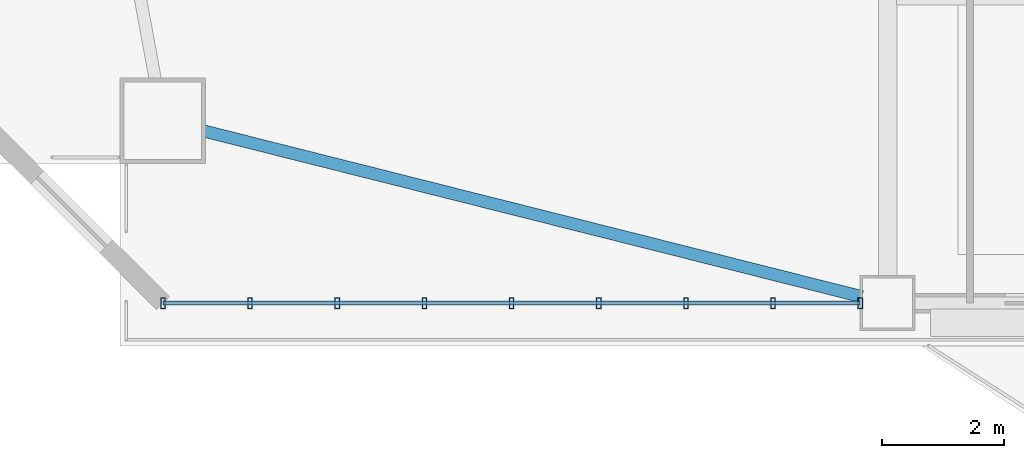
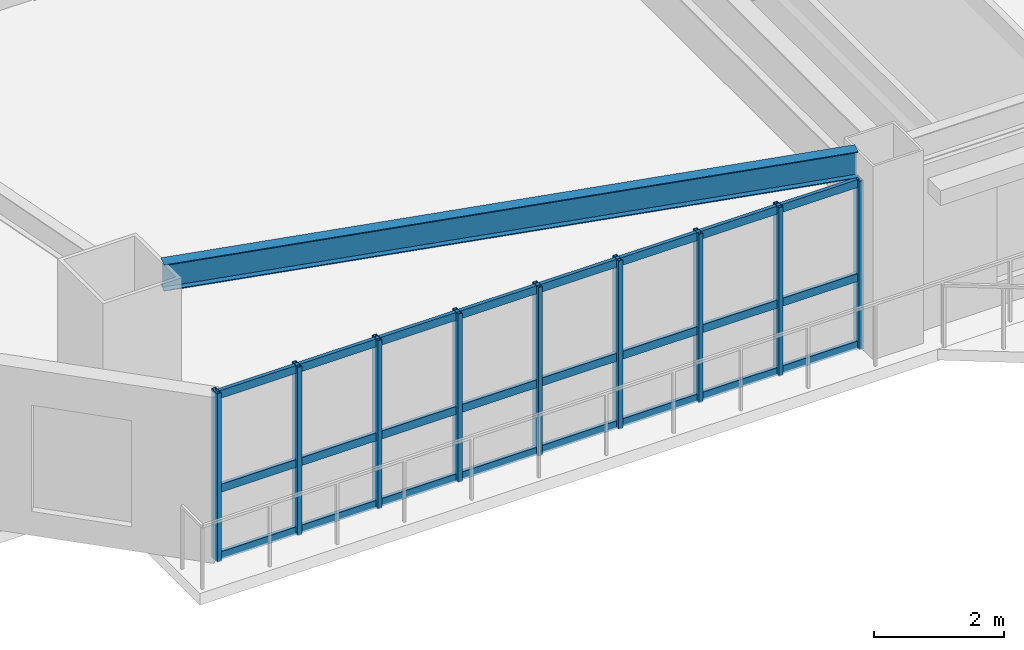
# One storey, part 2 of 15: 12 members, 1 beam, 1 element without a shape of its own.
"""IFC4 building model written with IfcOpenShell, lengths in metres."""

import ifcopenshell
import ifcopenshell.guid

model = None  # the IFC model being written
_history = None  # IfcOwnerHistory: only IFC2X3 demands one
_inside = {}  # id of a spatial element -> (the spatial element, [elements in it])
_under = {}  # id of a project, library or spatial element -> (it, [spatial elements below it])
_declared = {}  # id of a project -> (the project, [libraries it declares])
_typed = {}  # id of a type object -> (the type object, [elements of that type])
_made_of = {}  # id of a material, layer set ... -> (it, [elements and type objects made of it])


def new_model(schema):
    """Start an empty IFC model of exactly this schema.

    Asked for "IFC4X3", IfcOpenShell would pick the latest addendum, in which some entities
    have other attributes; the version numbers below select the first issue.
    IFC2X3 requires an IfcOwnerHistory on every rooted entity: one is made here for all.
    """
    global model, _history
    if schema == "IFC4X3":
        model = ifcopenshell.file(schema_version=(4, 3, 0, 0))
    else:
        model = ifcopenshell.file(schema=schema)
    _inside.clear()
    _under.clear()
    _declared.clear()
    _typed.clear()
    _made_of.clear()
    _history = None
    if model.schema == "IFC2X3":
        org = make("IfcOrganization", Name="unknown")
        user = make(
            "IfcPersonAndOrganization",
            ThePerson=make("IfcPerson", FamilyName="unknown"),
            TheOrganization=org,
        )
        app = make(
            "IfcApplication",
            ApplicationDeveloper=org,
            Version="unknown",
            ApplicationFullName="unknown",
            ApplicationIdentifier="unknown",
        )
        _history = make(
            "IfcOwnerHistory",
            OwningUser=user,
            OwningApplication=app,
            ChangeAction="ADDED",
            CreationDate=0,
        )
    return model


def make(cls, **values):
    """One entity of the class cls with the attributes given. An attribute that is None is left unset."""
    return model.create_entity(
        cls, **{name: value for name, value in values.items() if value is not None}
    )


def rooted(cls, **values):
    """An entity with a GlobalId (a new one), such as an element, a storey or a relation."""
    return make(cls, GlobalId=ifcopenshell.guid.new(), OwnerHistory=_history, **values)


def si_unit(unit_type, name, prefix=None):
    """IfcSIUnit, for example si_unit("LENGTHUNIT", "METRE", prefix="MILLI")."""
    return make("IfcSIUnit", UnitType=unit_type, Prefix=prefix, Name=name)


def assignment(units):
    """IfcUnitAssignment: the units of a project."""
    return None if units is None else make("IfcUnitAssignment", Units=units)


def point(xyz):
    """IfcCartesianPoint."""
    return None if xyz is None else make("IfcCartesianPoint", Coordinates=xyz)


def direction(xyz):
    """IfcDirection."""
    return None if xyz is None else make("IfcDirection", DirectionRatios=xyz)


def frame(location, z_axis=None, x_axis=None):
    """IfcAxis2Placement3D, a coordinate frame: its origin and axes. An axis left out is left unset."""
    return make(
        "IfcAxis2Placement3D",
        Location=point(location),
        Axis=direction(z_axis),
        RefDirection=direction(x_axis),
    )


def frame_2d(location, x_axis=None):
    """IfcAxis2Placement2D, a coordinate frame in the plane: its origin and x axis."""
    return make(
        "IfcAxis2Placement2D", Location=point(location), RefDirection=direction(x_axis)
    )


def origin():
    """The frame at (0, 0, 0) with its axes left unset."""
    return frame((0.0, 0.0, 0.0))


def origin_2d():
    """The frame at (0, 0) in the plane with its x axis left unset."""
    return frame_2d((0.0, 0.0))


def place(relative_to, where):
    """IfcLocalPlacement: puts the frame where relative to a parent placement (None: the world)."""
    return make(
        "IfcLocalPlacement", PlacementRelTo=relative_to, RelativePlacement=where
    )


def context(
    kind, dimensions, precision=None, world=None, true_north=None, identifier=None
):
    """IfcGeometricRepresentationContext, for example the 3D "Model" context."""
    return make(
        "IfcGeometricRepresentationContext",
        ContextIdentifier=identifier,
        ContextType=kind,
        CoordinateSpaceDimension=dimensions,
        Precision=precision,
        WorldCoordinateSystem=world,
        TrueNorth=true_north,
    )


def subcontext(parent, identifier, kind, view, scale=None):
    """IfcGeometricRepresentationSubContext, for example "Body" below "Model"."""
    return make(
        "IfcGeometricRepresentationSubContext",
        ContextIdentifier=identifier,
        ContextType=kind,
        ParentContext=parent,
        TargetScale=scale,
        TargetView=view,
    )


def project(units=None, contexts=None):
    """IfcProject with its units and contexts."""
    return rooted(
        "IfcProject",
        Name="project",
        RepresentationContexts=contexts,
        UnitsInContext=assignment(units),
    )


def spatial(cls, under=None, at=None, **own):
    """A site, building, storey or space (cls), placed at a placement, below another one or the project."""
    s = rooted(cls, ObjectPlacement=at, **own)
    if under is not None:
        _under.setdefault(under.id(), (under, []))[1].append(s)
    return s


def profile(cls, at=None, kind="AREA", **sizes):
    """A parametric profile (cls). Its sizes go by their IFC names, for example OverallWidth=200.0."""
    return make(cls, ProfileType=kind, Position=at, **sizes)


def hollow_rectangle(**sizes):
    """IfcRectangleHollowProfileDef."""
    return profile("IfcRectangleHollowProfileDef", **sizes)


def i_section(**sizes):
    """IfcIShapeProfileDef."""
    return profile("IfcIShapeProfileDef", **sizes)


def extrude(swept, where, along, depth):
    """IfcExtrudedAreaSolid: the profile swept, set in the frame where, extruded along a direction by depth."""
    return make(
        "IfcExtrudedAreaSolid",
        SweptArea=swept,
        Position=where,
        ExtrudedDirection=direction(along),
        Depth=depth,
    )


def shape(context_of_items, identifier, shape_type, items):
    """IfcShapeRepresentation: the items that make up one representation, for example the "Body"."""
    return make(
        "IfcShapeRepresentation",
        ContextOfItems=context_of_items,
        RepresentationIdentifier=identifier,
        RepresentationType=shape_type,
        Items=items,
    )


def source(mapping_origin, context_of_items, identifier, shape_type, items):
    """IfcRepresentationMap: a shape defined once, which mapped items show again and again."""
    return make(
        "IfcRepresentationMap",
        MappingOrigin=mapping_origin,
        MappedRepresentation=shape(context_of_items, identifier, shape_type, items),
    )


def transform(
    local_origin,
    x_axis=None,
    y_axis=None,
    z_axis=None,
    scale=None,
    scale2=None,
    scale3=None,
    uniform=True,
):
    """IfcCartesianTransformationOperator3D, or its non-uniform kind. x_axis, y_axis, z_axis: its Axis1, 2, 3."""
    if uniform:
        return make(
            "IfcCartesianTransformationOperator3D",
            Axis1=direction(x_axis),
            Axis2=direction(y_axis),
            LocalOrigin=point(local_origin),
            Scale=scale,
            Axis3=direction(z_axis),
        )
    return make(
        "IfcCartesianTransformationOperator3DnonUniform",
        Axis1=direction(x_axis),
        Axis2=direction(y_axis),
        LocalOrigin=point(local_origin),
        Scale=scale,
        Axis3=direction(z_axis),
        Scale2=scale2,
        Scale3=scale3,
    )


def mapped(mapping_source, mapping_target):
    """IfcMappedItem: shows the shape of a source again, moved by a transform."""
    return make(
        "IfcMappedItem", MappingSource=mapping_source, MappingTarget=mapping_target
    )


def material(Name=None, Category=None):
    """IfcMaterial."""
    return make("IfcMaterial", Name=Name, Category=Category)


def layer(
    of_material, thickness, ventilated=None, Name=None, Category=None, Priority=None
):
    """IfcMaterialLayer: one layer of a wall or slab, of a material (None: an air gap)."""
    return make(
        "IfcMaterialLayer",
        Material=of_material,
        LayerThickness=thickness,
        IsVentilated=ventilated,
        Name=Name,
        Category=Category,
        Priority=Priority,
    )


def layer_set(layers, Name=None):
    """IfcMaterialLayerSet."""
    return make("IfcMaterialLayerSet", MaterialLayers=layers, LayerSetName=Name)


def material_profile(
    of_material, cross_section, Name=None, Category=None, Priority=None
):
    """IfcMaterialProfile: a cross section and its material."""
    return make(
        "IfcMaterialProfile",
        Name=Name,
        Material=of_material,
        Profile=cross_section,
        Priority=Priority,
        Category=Category,
    )


def profile_set(profiles, Name=None, composite=None):
    """IfcMaterialProfileSet."""
    return make(
        "IfcMaterialProfileSet",
        Name=Name,
        MaterialProfiles=profiles,
        CompositeProfile=composite,
    )


def made_of(thing, what):
    """Note that an element or type object is made of a material, layer set ...; save() writes the relation."""
    if what is not None:
        _made_of.setdefault(what.id(), (what, []))[1].append(thing)
    return thing


def type_object(cls, material=None, **own):
    """A type object (cls), such as IfcWallType, which elements share."""
    return made_of(rooted(cls, **own), material)


def element(
    cls,
    number,
    at=None,
    inside=None,
    cuts=None,
    type_object=None,
    material=None,
    context=None,
    identifier="Body",
    shape_type=None,
    held_by="IfcProductDefinitionShape",
    body=None,
    shapes=None,
    **own,
):
    """One element of the class cls, such as IfcWall. Its Tag is "e" and its number.

    at: its placement. inside: the storey or other place that contains it. cuts: it is an
    opening in that element (IfcRelVoidsElement). A single representation is given by context,
    identifier, shape_type and body (its items); several are given by shapes. held_by: the class
    of the entity that holds the representations. save() writes the other relations.
    """
    e = rooted(cls, Tag="e%d" % number, ObjectPlacement=at, **own)
    if body is not None:
        shapes = [shape(context, identifier, shape_type, body)]
    if shapes is not None:
        e.Representation = make(held_by, Representations=shapes)
    if inside is not None:
        _inside.setdefault(inside.id(), (inside, []))[1].append(e)
    if cuts is not None:
        rooted(
            "IfcRelVoidsElement", RelatingBuildingElement=cuts, RelatedOpeningElement=e
        )
    if type_object is not None:
        _typed.setdefault(type_object.id(), (type_object, []))[1].append(e)
    return made_of(e, material)


def aggregate(whole, parts):
    """IfcRelAggregates: a whole, such as a stair, and the parts it consists of."""
    return rooted("IfcRelAggregates", RelatingObject=whole, RelatedObjects=parts)


def save(model, path):
    """Write the relations noted so far, then the file.

    IfcRelAggregates (storeys below a building ...), IfcRelContainedInSpatialStructure (elements
    in a storey), IfcRelDefinesByType, IfcRelAssociatesMaterial and IfcRelDeclares: one each for
    every whole, place, type object, material and project.
    """
    for whole, parts in _under.values():
        aggregate(whole, parts)
    for where, things in _inside.values():
        rooted(
            "IfcRelContainedInSpatialStructure",
            RelatedElements=things,
            RelatingStructure=where,
        )
    for kind, things in _typed.values():
        rooted("IfcRelDefinesByType", RelatedObjects=things, RelatingType=kind)
    for what, things in _made_of.values():
        rooted("IfcRelAssociatesMaterial", RelatedObjects=things, RelatingMaterial=what)
    for by, libraries in _declared.values():
        rooted("IfcRelDeclares", RelatingContext=by, RelatedDefinitions=libraries)
    model.write(path)


model = new_model("IFC4")

# Units and contexts
model_context = context("Model", 3, precision=1e-05, world=origin(), true_north=direction((0.0, 1.0)))
body_context = subcontext(model_context, "Body", "Model", "MODEL_VIEW")
ifc_project = project(units=[si_unit("LENGTHUNIT", "METRE"), si_unit("AREAUNIT", "SQUARE_METRE"), si_unit("VOLUMEUNIT", "CUBIC_METRE"), si_unit("PLANEANGLEUNIT", "RADIAN"), si_unit("MASSUNIT", "GRAM", prefix="KILO")], contexts=[model_context])

# Site, building, storey
site_placement = place(None, origin())
site = spatial("IfcSite", under=ifc_project, at=site_placement, CompositionType="ELEMENT")
building_placement = place(site_placement, origin())
building = spatial("IfcBuilding", under=site, at=building_placement, Name="Giltprow Tower", CompositionType="ELEMENT")
storey_placement = place(building_placement, frame((0.0, 0.0, 127.0)))
storey = spatial("IfcBuildingStorey", under=building, at=storey_placement, Name="L31", CompositionType="ELEMENT", Elevation=127.0)

# Beam
ifc_material_1 = material(Name="Structural steel Q355B", Category="steel")
ifc_material_profile_1 = material_profile(ifc_material_1, i_section(OverallWidth=0.199951171875, OverallDepth=0.5, WebThickness=0.010009765625, FlangeThickness=0.01611328125, at=origin_2d()), Name="HN 500x200x10x16")
ifc_profile_set_1 = profile_set([ifc_material_profile_1], Name="Structural steel Q355B")
beam_type = type_object("IfcBeamType", Name="BM-SPAN-HN500", PredefinedType="SPANDREL", material=ifc_profile_set_1)
shared_shape_1 = source(origin(), body_context, "Body", "SweptSolid", [
    extrude(i_section(OverallWidth=0.199951171875, OverallDepth=0.5, WebThickness=0.010009765625, FlangeThickness=0.01611328125, at=origin_2d()), origin(), (0.0, 0.0, 1.0), 11.130859375),
])
beam_placement = place(storey_placement, frame((8.634033203125, 10.342041015625, 3.389892578125), z_axis=(0.969728226773, -0.244186744519, 0.0), x_axis=(0.244186744519, 0.969728226773, 0.0)))
element("IfcBeam", 1, at=beam_placement, inside=storey, type_object=beam_type, Name="L31 Perimeter Spandrel Beam MC_SW-S1", PredefinedType="SPANDREL", context=body_context, shape_type="MappedRepresentation", body=[
    mapped(shared_shape_1, transform((0.0, 0.0, 0.0), x_axis=(1.0, 0.0, 0.0), y_axis=(0.0, 1.0, 0.0), z_axis=(0.0, 0.0, 1.0), scale=1.0)),
])

# Curtain wall, members
ifc_material_2 = material(Name="Anodized bronze", Category="metal")
ifc_layer = layer(ifc_material_2, 0.179931640625, Name="Anodized bronze")
ifc_layer_set = layer_set([ifc_layer], Name="Anodized bronze")
curtain_wall_type = type_object("IfcCurtainWallType", Name="CW-OFF-RECESSED", PredefinedType="NOTDEFINED", material=ifc_layer_set)
curtain_wall_placement = place(storey_placement, origin())
curtain_wall = element("IfcCurtainWall", 2, at=curtain_wall_placement, inside=storey, type_object=curtain_wall_type, Name="L31 South Recessed Curtain Wall 1", PredefinedType="NOTDEFINED")
ifc_material_profile_2 = material_profile(ifc_material_2, hollow_rectangle(XDim=0.074951171875, YDim=0.179931640625, WallThickness=0.008056640625, at=origin_2d()), Name="RHS 180x75x8")
ifc_profile_set_2 = profile_set([ifc_material_profile_2], Name="Anodized bronze")
member_type_1 = type_object("IfcMemberType", Name="CW-MULLION-180x75", PredefinedType="MULLION", material=ifc_profile_set_2)
shared_shape_2 = source(origin(), body_context, "Body", "SweptSolid", [
    extrude(hollow_rectangle(XDim=0.074951171875, YDim=0.179931640625, WallThickness=0.008056640625, at=origin_2d()), origin(), (0.0, 0.0, 1.0), 3.175048828125),
])
member_1_placement = place(storey_placement, frame((7.969970703125, 7.51806640625, -0.02001953125), z_axis=(0.0, 0.0, 1.0), x_axis=(1.0, 0.0, 0.0)))
member_1 = element("IfcMember", 3, at=member_1_placement, type_object=member_type_1, Name="L31 South Recessed Curtain Wall 1 Mullion 1", PredefinedType="MULLION", context=body_context, shape_type="MappedRepresentation", body=[
    mapped(shared_shape_2, transform((0.0, 0.0, 0.0), x_axis=(1.0, 0.0, 0.0), y_axis=(0.0, 1.0, 0.0), z_axis=(0.0, 0.0, 1.0), scale=1.0)),
])
member_2_placement = place(storey_placement, frame((9.39892578125, 7.51806640625, -0.02001953125), z_axis=(0.0, 0.0, 1.0), x_axis=(1.0, 0.0, 0.0)))
member_2 = element("IfcMember", 4, at=member_2_placement, type_object=member_type_1, Name="L31 South Recessed Curtain Wall 1 Mullion 2", PredefinedType="MULLION", context=body_context, shape_type="MappedRepresentation", body=[
    mapped(shared_shape_2, transform((0.0, 0.0, 0.0), x_axis=(1.0, 0.0, 0.0), y_axis=(0.0, 1.0, 0.0), z_axis=(0.0, 0.0, 1.0), scale=1.0)),
])
member_3_placement = place(storey_placement, frame((10.827880859375, 7.51806640625, -0.02001953125), z_axis=(0.0, 0.0, 1.0), x_axis=(1.0, 0.0, 0.0)))
member_3 = element("IfcMember", 5, at=member_3_placement, type_object=member_type_1, Name="L31 South Recessed Curtain Wall 1 Mullion 3", PredefinedType="MULLION", context=body_context, shape_type="MappedRepresentation", body=[
    mapped(shared_shape_2, transform((0.0, 0.0, 0.0), x_axis=(1.0, 0.0, 0.0), y_axis=(0.0, 1.0, 0.0), z_axis=(0.0, 0.0, 1.0), scale=1.0)),
])
member_4_placement = place(storey_placement, frame((12.256103515625, 7.51806640625, -0.02001953125), z_axis=(0.0, 0.0, 1.0), x_axis=(1.0, 0.0, 0.0)))
member_4 = element("IfcMember", 6, at=member_4_placement, type_object=member_type_1, Name="L31 South Recessed Curtain Wall 1 Mullion 4", PredefinedType="MULLION", context=body_context, shape_type="MappedRepresentation", body=[
    mapped(shared_shape_2, transform((0.0, 0.0, 0.0), x_axis=(1.0, 0.0, 0.0), y_axis=(0.0, 1.0, 0.0), z_axis=(0.0, 0.0, 1.0), scale=1.0)),
])
member_5_placement = place(storey_placement, frame((13.68505859375, 7.51806640625, -0.02001953125), z_axis=(0.0, 0.0, 1.0), x_axis=(1.0, 0.0, 0.0)))
member_5 = element("IfcMember", 7, at=member_5_placement, type_object=member_type_1, Name="L31 South Recessed Curtain Wall 1 Mullion 5", PredefinedType="MULLION", context=body_context, shape_type="MappedRepresentation", body=[
    mapped(shared_shape_2, transform((0.0, 0.0, 0.0), x_axis=(1.0, 0.0, 0.0), y_axis=(0.0, 1.0, 0.0), z_axis=(0.0, 0.0, 1.0), scale=1.0)),
])
member_6_placement = place(storey_placement, frame((15.114013671875, 7.51806640625, -0.02001953125), z_axis=(0.0, 0.0, 1.0), x_axis=(1.0, 0.0, 0.0)))
member_6 = element("IfcMember", 8, at=member_6_placement, type_object=member_type_1, Name="L31 South Recessed Curtain Wall 1 Mullion 6", PredefinedType="MULLION", context=body_context, shape_type="MappedRepresentation", body=[
    mapped(shared_shape_2, transform((0.0, 0.0, 0.0), x_axis=(1.0, 0.0, 0.0), y_axis=(0.0, 1.0, 0.0), z_axis=(0.0, 0.0, 1.0), scale=1.0)),
])
member_7_placement = place(storey_placement, frame((16.54296875, 7.51806640625, -0.02001953125), z_axis=(0.0, 0.0, 1.0), x_axis=(1.0, 0.0, 0.0)))
member_7 = element("IfcMember", 9, at=member_7_placement, type_object=member_type_1, Name="L31 South Recessed Curtain Wall 1 Mullion 7", PredefinedType="MULLION", context=body_context, shape_type="MappedRepresentation", body=[
    mapped(shared_shape_2, transform((0.0, 0.0, 0.0), x_axis=(1.0, 0.0, 0.0), y_axis=(0.0, 1.0, 0.0), z_axis=(0.0, 0.0, 1.0), scale=1.0)),
])
member_8_placement = place(storey_placement, frame((17.970947265625, 7.51806640625, -0.02001953125), z_axis=(0.0, 0.0, 1.0), x_axis=(1.0, 0.0, 0.0)))
member_8 = element("IfcMember", 10, at=member_8_placement, type_object=member_type_1, Name="L31 South Recessed Curtain Wall 1 Mullion 8", PredefinedType="MULLION", context=body_context, shape_type="MappedRepresentation", body=[
    mapped(shared_shape_2, transform((0.0, 0.0, 0.0), x_axis=(1.0, 0.0, 0.0), y_axis=(0.0, 1.0, 0.0), z_axis=(0.0, 0.0, 1.0), scale=1.0)),
])
member_9_placement = place(storey_placement, frame((19.39990234375, 7.51806640625, -0.02001953125), z_axis=(0.0, 0.0, 1.0), x_axis=(1.0, 0.0, 0.0)))
member_9 = element("IfcMember", 11, at=member_9_placement, type_object=member_type_1, Name="L31 South Recessed Curtain Wall 1 Mullion 9", PredefinedType="MULLION", context=body_context, shape_type="MappedRepresentation", body=[
    mapped(shared_shape_2, transform((0.0, 0.0, 0.0), x_axis=(1.0, 0.0, 0.0), y_axis=(0.0, 1.0, 0.0), z_axis=(0.0, 0.0, 1.0), scale=1.0)),
])
ifc_material_profile_3 = material_profile(ifc_material_2, hollow_rectangle(XDim=0.06494140625, YDim=0.14990234375, WallThickness=0.006103515625, at=origin_2d()), Name="RHS 150x65x6")
ifc_profile_set_3 = profile_set([ifc_material_profile_3], Name="Anodized bronze")
member_type_2 = type_object("IfcMemberType", Name="CW-TRANSOM-150x65", PredefinedType="USERDEFINED", material=ifc_profile_set_3)
shared_shape_3 = source(origin(), body_context, "Body", "SweptSolid", [
    extrude(hollow_rectangle(XDim=0.06494140625, YDim=0.14990234375, WallThickness=0.006103515625, at=origin_2d()), origin(), (0.0, 0.0, 1.0), 11.429931640625),
])
member_10_placement = place(storey_placement, frame((7.969970703125, 7.51806640625, 0.0400390625), z_axis=(1.0, 0.0, 0.0), x_axis=(0.0, 1.0, 0.0)))
member_10 = element("IfcMember", 12, at=member_10_placement, type_object=member_type_2, Name="L31 South Recessed Curtain Wall 1 Transom 1", ObjectType="TRANSOM", PredefinedType="USERDEFINED", context=body_context, shape_type="MappedRepresentation", body=[
    mapped(shared_shape_3, transform((0.0, 0.0, 0.0), x_axis=(1.0, 0.0, 0.0), y_axis=(0.0, 1.0, 0.0), z_axis=(0.0, 0.0, 1.0), scale=1.0)),
])
member_11_placement = place(storey_placement, frame((7.969970703125, 7.51806640625, 1.31005859375), z_axis=(1.0, 0.0, 0.0), x_axis=(0.0, 1.0, 0.0)))
member_11 = element("IfcMember", 13, at=member_11_placement, type_object=member_type_2, Name="L31 South Recessed Curtain Wall 1 Transom 2", ObjectType="TRANSOM", PredefinedType="USERDEFINED", context=body_context, shape_type="MappedRepresentation", body=[
    mapped(shared_shape_3, transform((0.0, 0.0, 0.0), x_axis=(1.0, 0.0, 0.0), y_axis=(0.0, 1.0, 0.0), z_axis=(0.0, 0.0, 1.0), scale=1.0)),
])
member_12_placement = place(storey_placement, frame((7.969970703125, 7.51806640625, 3.080078125), z_axis=(1.0, 0.0, 0.0), x_axis=(0.0, 1.0, 0.0)))
member_12 = element("IfcMember", 14, at=member_12_placement, type_object=member_type_2, Name="L31 South Recessed Curtain Wall 1 Transom 3", ObjectType="TRANSOM", PredefinedType="USERDEFINED", context=body_context, shape_type="MappedRepresentation", body=[
    mapped(shared_shape_3, transform((0.0, 0.0, 0.0), x_axis=(1.0, 0.0, 0.0), y_axis=(0.0, 1.0, 0.0), z_axis=(0.0, 0.0, 1.0), scale=1.0)),
])
aggregate(curtain_wall, [member_1, member_2, member_3, member_4, member_5, member_6, member_7, member_8, member_9, member_10, member_11, member_12])

save(model, "model.ifc")
